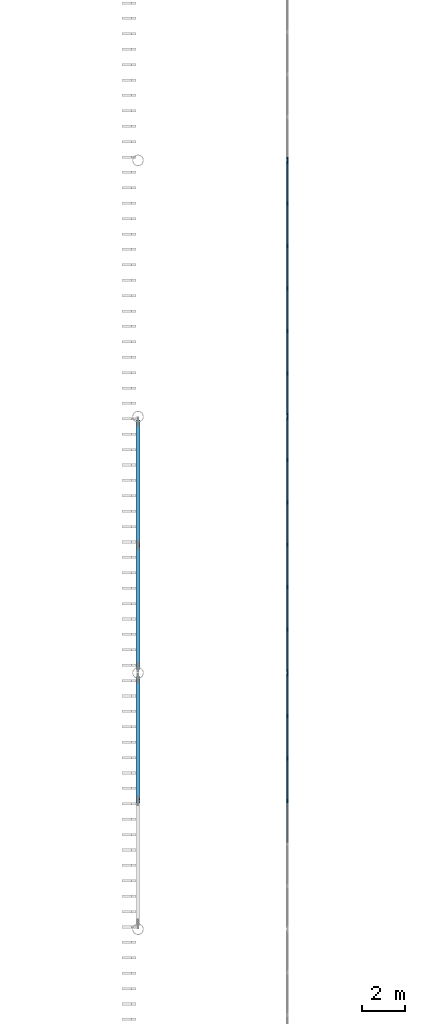
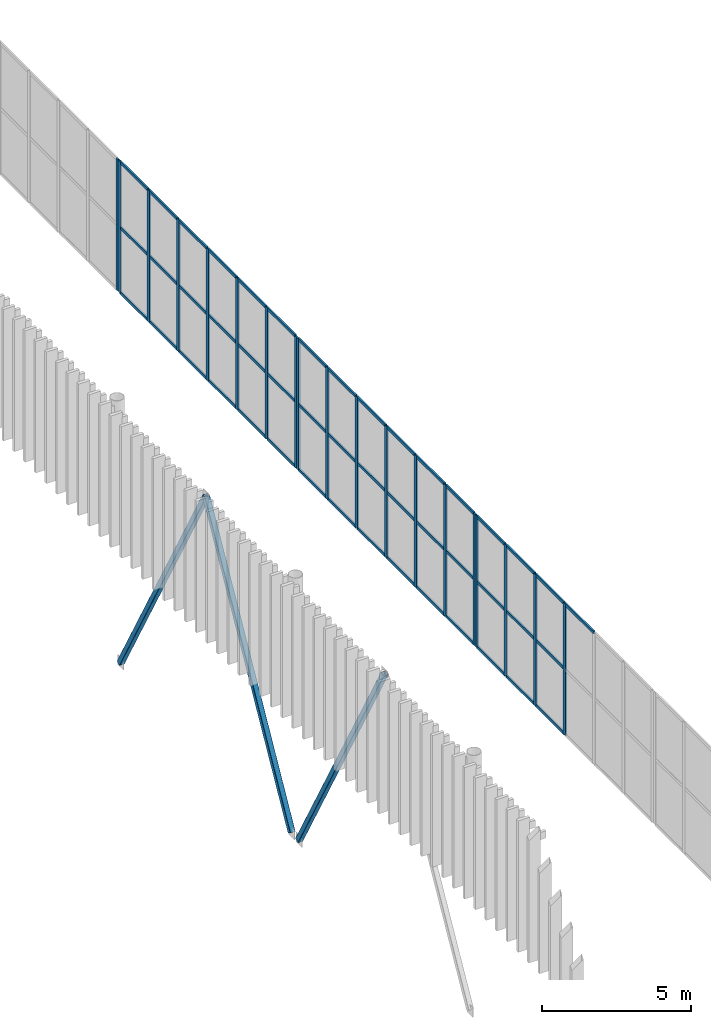
# One storey, part 44 of 170: 68 members, 4 elements without a shape of their own.
"""IFC4 building model written with IfcOpenShell, lengths in metres."""

from ifc_helpers import new_model, si_unit, direction, frame, origin, origin_2d, place, context, subcontext, project, spatial, rectangle, hollow_rectangle, extrude, material, layer, layer_set, material_profile, profile_set, type_object, element, aggregate, save


model = new_model("IFC4")

# Units and contexts
model_context = context("Model", 3, precision=1e-05, world=origin(), true_north=direction((0.0, 1.0)))
body_context = subcontext(model_context, "Body", "Model", "MODEL_VIEW")
ifc_project = project(units=[si_unit("LENGTHUNIT", "METRE"), si_unit("AREAUNIT", "SQUARE_METRE"), si_unit("VOLUMEUNIT", "CUBIC_METRE"), si_unit("PLANEANGLEUNIT", "RADIAN"), si_unit("MASSUNIT", "GRAM", prefix="KILO")], contexts=[model_context])

# Site, building, storey
site_placement = place(None, origin())
site = spatial("IfcSite", under=ifc_project, at=site_placement, CompositionType="ELEMENT")
building_placement = place(site_placement, origin())
building = spatial("IfcBuilding", under=site, at=building_placement, Name="Ravi Spectrum Wholesale Market", CompositionType="ELEMENT")
storey_placement = place(building_placement, frame((0.0, 0.0, 5.39990234375)))
storey = spatial("IfcBuildingStorey", under=building, at=storey_placement, Name="L01", CompositionType="ELEMENT", Elevation=5.39990234375)

# Curtain wall, members
ifc_material_1 = material(Name="Aluminium 6063-T6", Category="aluminium")
ifc_layer = layer(ifc_material_1, 0.14990234375)
ifc_layer_set = layer_set([ifc_layer], Name="Aluminium 6063-T6")
curtain_wall_type = type_object("IfcCurtainWallType", Name="Curtain wall 150", PredefinedType="NOTDEFINED", material=ifc_layer_set)
curtain_wall_1_placement = place(storey_placement, origin())
curtain_wall_1 = element("IfcCurtainWall", 1, at=curtain_wall_1_placement, inside=storey, type_object=curtain_wall_type, Name="H1-CW-L01-007", PredefinedType="NOTDEFINED")
ifc_material_2 = material(Name="Aluminium 6063-T6", Category="aluminium")
ifc_material_profile_1 = material_profile(ifc_material_2, rectangle(XDim=0.06005859375, YDim=0.159912109375, at=origin_2d()))
ifc_profile_set_1 = profile_set([ifc_material_profile_1], Name="Aluminium 6063-T6")
member_type_1 = type_object("IfcMemberType", Name="Mullion 60 x 160", PredefinedType="MULLION", material=ifc_profile_set_1)
member_1_placement = place(storey_placement, frame((37.0, 108.0, 0.0), z_axis=(0.0, 0.0, 1.0), x_axis=(-1.0, 0.0, 0.0)))
member_1 = element("IfcMember", 2, at=member_1_placement, type_object=member_type_1, Name="H1-CW-L01-007 mullion 4", PredefinedType="MULLION", context=body_context, shape_type="SweptSolid", body=[
    extrude(rectangle(XDim=0.06005859375, YDim=0.159912109375, at=origin_2d()), origin(), (0.0, 0.0, 1.0), 5.400146484375),
])
member_2_placement = place(storey_placement, frame((37.0, 109.986572265625, 0.0), z_axis=(0.0, 0.0, 1.0), x_axis=(-1.0, 0.0, 0.0)))
member_2 = element("IfcMember", 3, at=member_2_placement, type_object=member_type_1, Name="H1-CW-L01-007 mullion 5", PredefinedType="MULLION", context=body_context, shape_type="SweptSolid", body=[
    extrude(rectangle(XDim=0.06005859375, YDim=0.159912109375, at=origin_2d()), origin(), (0.0, 0.0, 1.0), 5.400146484375),
])
member_3_placement = place(storey_placement, frame((37.0, 111.973388671875, 0.0), z_axis=(0.0, 0.0, 1.0), x_axis=(-1.0, 0.0, 0.0)))
member_3 = element("IfcMember", 4, at=member_3_placement, type_object=member_type_1, Name="H1-CW-L01-007 mullion 6", PredefinedType="MULLION", context=body_context, shape_type="SweptSolid", body=[
    extrude(rectangle(XDim=0.06005859375, YDim=0.159912109375, at=origin_2d()), origin(), (0.0, 0.0, 1.0), 5.400146484375),
])
member_4_placement = place(storey_placement, frame((37.0, 113.929931640625, 0.0), z_axis=(0.0, 0.0, 1.0), x_axis=(-1.0, 0.0, 0.0)))
member_4 = element("IfcMember", 5, at=member_4_placement, type_object=member_type_1, Name="H1-CW-L01-007 mullion 7", PredefinedType="MULLION", context=body_context, shape_type="SweptSolid", body=[
    extrude(rectangle(XDim=0.06005859375, YDim=0.159912109375, at=origin_2d()), origin(), (0.0, 0.0, 1.0), 5.400146484375),
])

curtain_wall_2_placement = place(storey_placement, origin())
curtain_wall_2 = element("IfcCurtainWall", 6, at=curtain_wall_2_placement, inside=storey, type_object=curtain_wall_type, Name="H1-CW-L01-008", PredefinedType="NOTDEFINED")
member_5_placement = place(storey_placement, frame((37.0, 114.070068359375, 0.0), z_axis=(0.0, 0.0, 1.0), x_axis=(-1.0, 0.0, 0.0)))
member_5 = element("IfcMember", 7, at=member_5_placement, type_object=member_type_1, Name="H1-CW-L01-008 mullion 1", PredefinedType="MULLION", context=body_context, shape_type="SweptSolid", body=[
    extrude(rectangle(XDim=0.06005859375, YDim=0.159912109375, at=origin_2d()), origin(), (0.0, 0.0, 1.0), 5.400146484375),
])
member_6_placement = place(storey_placement, frame((37.0, 116.026611328125, 0.0), z_axis=(0.0, 0.0, 1.0), x_axis=(-1.0, 0.0, 0.0)))
member_6 = element("IfcMember", 8, at=member_6_placement, type_object=member_type_1, Name="H1-CW-L01-008 mullion 2", PredefinedType="MULLION", context=body_context, shape_type="SweptSolid", body=[
    extrude(rectangle(XDim=0.06005859375, YDim=0.159912109375, at=origin_2d()), origin(), (0.0, 0.0, 1.0), 5.400146484375),
])
member_7_placement = place(storey_placement, frame((37.0, 118.013427734375, 0.0), z_axis=(0.0, 0.0, 1.0), x_axis=(-1.0, 0.0, 0.0)))
member_7 = element("IfcMember", 9, at=member_7_placement, type_object=member_type_1, Name="H1-CW-L01-008 mullion 3", PredefinedType="MULLION", context=body_context, shape_type="SweptSolid", body=[
    extrude(rectangle(XDim=0.06005859375, YDim=0.159912109375, at=origin_2d()), origin(), (0.0, 0.0, 1.0), 5.400146484375),
])
member_8_placement = place(storey_placement, frame((37.0, 120.0, 0.0), z_axis=(0.0, 0.0, 1.0), x_axis=(-1.0, 0.0, 0.0)))
member_8 = element("IfcMember", 10, at=member_8_placement, type_object=member_type_1, Name="H1-CW-L01-008 mullion 4", PredefinedType="MULLION", context=body_context, shape_type="SweptSolid", body=[
    extrude(rectangle(XDim=0.06005859375, YDim=0.159912109375, at=origin_2d()), origin(), (0.0, 0.0, 1.0), 5.400146484375),
])
member_9_placement = place(storey_placement, frame((37.0, 121.986572265625, 0.0), z_axis=(0.0, 0.0, 1.0), x_axis=(-1.0, 0.0, 0.0)))
member_9 = element("IfcMember", 11, at=member_9_placement, type_object=member_type_1, Name="H1-CW-L01-008 mullion 5", PredefinedType="MULLION", context=body_context, shape_type="SweptSolid", body=[
    extrude(rectangle(XDim=0.06005859375, YDim=0.159912109375, at=origin_2d()), origin(), (0.0, 0.0, 1.0), 5.400146484375),
])
member_10_placement = place(storey_placement, frame((37.0, 123.973388671875, 0.0), z_axis=(0.0, 0.0, 1.0), x_axis=(-1.0, 0.0, 0.0)))
member_10 = element("IfcMember", 12, at=member_10_placement, type_object=member_type_1, Name="H1-CW-L01-008 mullion 6", PredefinedType="MULLION", context=body_context, shape_type="SweptSolid", body=[
    extrude(rectangle(XDim=0.06005859375, YDim=0.159912109375, at=origin_2d()), origin(), (0.0, 0.0, 1.0), 5.400146484375),
])
member_11_placement = place(storey_placement, frame((37.0, 125.929931640625, 0.0), z_axis=(0.0, 0.0, 1.0), x_axis=(-1.0, 0.0, 0.0)))
member_11 = element("IfcMember", 13, at=member_11_placement, type_object=member_type_1, Name="H1-CW-L01-008 mullion 7", PredefinedType="MULLION", context=body_context, shape_type="SweptSolid", body=[
    extrude(rectangle(XDim=0.06005859375, YDim=0.159912109375, at=origin_2d()), origin(), (0.0, 0.0, 1.0), 5.400146484375),
])

curtain_wall_3_placement = place(storey_placement, origin())
curtain_wall_3 = element("IfcCurtainWall", 14, at=curtain_wall_3_placement, inside=storey, type_object=curtain_wall_type, Name="H1-CW-L01-009", PredefinedType="NOTDEFINED")
member_12_placement = place(storey_placement, frame((37.0, 126.070068359375, 0.0), z_axis=(0.0, 0.0, 1.0), x_axis=(-1.0, 0.0, 0.0)))
member_12 = element("IfcMember", 15, at=member_12_placement, type_object=member_type_1, Name="H1-CW-L01-009 mullion 1", PredefinedType="MULLION", context=body_context, shape_type="SweptSolid", body=[
    extrude(rectangle(XDim=0.06005859375, YDim=0.159912109375, at=origin_2d()), origin(), (0.0, 0.0, 1.0), 5.400146484375),
])
member_13_placement = place(storey_placement, frame((37.0, 128.026611328125, 0.0), z_axis=(0.0, 0.0, 1.0), x_axis=(-1.0, 0.0, 0.0)))
member_13 = element("IfcMember", 16, at=member_13_placement, type_object=member_type_1, Name="H1-CW-L01-009 mullion 2", PredefinedType="MULLION", context=body_context, shape_type="SweptSolid", body=[
    extrude(rectangle(XDim=0.06005859375, YDim=0.159912109375, at=origin_2d()), origin(), (0.0, 0.0, 1.0), 5.400146484375),
])
member_14_placement = place(storey_placement, frame((37.0, 130.013427734375, 0.0), z_axis=(0.0, 0.0, 1.0), x_axis=(-1.0, 0.0, 0.0)))
member_14 = element("IfcMember", 17, at=member_14_placement, type_object=member_type_1, Name="H1-CW-L01-009 mullion 3", PredefinedType="MULLION", context=body_context, shape_type="SweptSolid", body=[
    extrude(rectangle(XDim=0.06005859375, YDim=0.159912109375, at=origin_2d()), origin(), (0.0, 0.0, 1.0), 5.400146484375),
])
member_15_placement = place(storey_placement, frame((37.0, 132.0, 0.0), z_axis=(0.0, 0.0, 1.0), x_axis=(-1.0, 0.0, 0.0)))
member_15 = element("IfcMember", 18, at=member_15_placement, type_object=member_type_1, Name="H1-CW-L01-009 mullion 4", PredefinedType="MULLION", context=body_context, shape_type="SweptSolid", body=[
    extrude(rectangle(XDim=0.06005859375, YDim=0.159912109375, at=origin_2d()), origin(), (0.0, 0.0, 1.0), 5.400146484375),
])
member_16_placement = place(storey_placement, frame((37.0, 133.986572265625, 0.0), z_axis=(0.0, 0.0, 1.0), x_axis=(-1.0, 0.0, 0.0)))
member_16 = element("IfcMember", 19, at=member_16_placement, type_object=member_type_1, Name="H1-CW-L01-009 mullion 5", PredefinedType="MULLION", context=body_context, shape_type="SweptSolid", body=[
    extrude(rectangle(XDim=0.06005859375, YDim=0.159912109375, at=origin_2d()), origin(), (0.0, 0.0, 1.0), 5.400146484375),
])
member_17_placement = place(storey_placement, frame((37.0, 135.973388671875, 0.0), z_axis=(0.0, 0.0, 1.0), x_axis=(-1.0, 0.0, 0.0)))
member_17 = element("IfcMember", 20, at=member_17_placement, type_object=member_type_1, Name="H1-CW-L01-009 mullion 6", PredefinedType="MULLION", context=body_context, shape_type="SweptSolid", body=[
    extrude(rectangle(XDim=0.06005859375, YDim=0.159912109375, at=origin_2d()), origin(), (0.0, 0.0, 1.0), 5.400146484375),
])
member_18_placement = place(storey_placement, frame((37.0, 137.929931640625, 0.0), z_axis=(0.0, 0.0, 1.0), x_axis=(-1.0, 0.0, 0.0)))
member_18 = element("IfcMember", 21, at=member_18_placement, type_object=member_type_1, Name="H1-CW-L01-009 mullion 7", PredefinedType="MULLION", context=body_context, shape_type="SweptSolid", body=[
    extrude(rectangle(XDim=0.06005859375, YDim=0.159912109375, at=origin_2d()), origin(), (0.0, 0.0, 1.0), 5.400146484375),
])

# Curtain wall, member
curtain_wall_4_placement = place(storey_placement, origin())
curtain_wall_4 = element("IfcCurtainWall", 22, at=curtain_wall_4_placement, inside=storey, type_object=curtain_wall_type, Name="H1-CW-L01-010", PredefinedType="NOTDEFINED")
member_19_placement = place(storey_placement, frame((37.0, 138.070068359375, 0.0), z_axis=(0.0, 0.0, 1.0), x_axis=(-1.0, 0.0, 0.0)))
member_19 = element("IfcMember", 23, at=member_19_placement, type_object=member_type_1, Name="H1-CW-L01-010 mullion 1", PredefinedType="MULLION", context=body_context, shape_type="SweptSolid", body=[
    extrude(rectangle(XDim=0.06005859375, YDim=0.159912109375, at=origin_2d()), origin(), (0.0, 0.0, 1.0), 5.400146484375),
])
aggregate(curtain_wall_4, [member_19])

# Members
ifc_material_3 = material(Name="Steel S355", Category="steel")
ifc_material_profile_2 = material_profile(ifc_material_3, hollow_rectangle(XDim=0.199951171875, YDim=0.199951171875, WallThickness=0.008056640625, InnerFilletRadius=0.008056640625, OuterFilletRadius=0.01611328125, at=origin_2d()))
ifc_profile_set_2 = profile_set([ifc_material_profile_2], Name="Steel S355")
member_type_2 = type_object("IfcMemberType", Name="SHS 200x200x8 brace", PredefinedType="BRACE", material=ifc_profile_set_2)
for number, where, z_axis, x_axis, name in (
    (24, (30.0, 113.74609375, -5.350830078125), (0.0, -0.487151805571, 0.873317306784), (1.0, 0.0, 0.0), "H1-MB-L01-006"),
    (25, (30.0, 114.25390625, -5.350830078125), (0.0, 0.487151805571, 0.873317306784), (-1.0, 0.0, 0.0), "H1-MB-L01-007"),
    (26, (30.0, 125.74609375, -5.350830078125), (0.0, -0.487151805571, 0.873317306784), (1.0, 0.0, 0.0), "H1-MB-L01-008"),
):
    element("IfcMember", number, at=place(storey_placement, frame(where, z_axis=z_axis, x_axis=x_axis)), inside=storey, type_object=member_type_2, Name=name, PredefinedType="BRACE", context=body_context, shape_type="SweptSolid", body=[
        extrude(hollow_rectangle(XDim=0.199951171875, YDim=0.199951171875, WallThickness=0.008056640625, InnerFilletRadius=0.008056640625, OuterFilletRadius=0.01611328125, at=origin_2d()), origin(), (0.0, 0.0, 1.0), 11.795166015625),
    ])

# Member
ifc_material_4 = material(Name="Aluminium 6063-T6", Category="aluminium")
ifc_material_profile_3 = material_profile(ifc_material_4, rectangle(XDim=0.06005859375, YDim=0.1201171875, at=origin_2d()))
ifc_profile_set_3 = profile_set([ifc_material_profile_3], Name="Aluminium 6063-T6")
member_type_3 = type_object("IfcMemberType", Name="Transom 60 x 120", PredefinedType="USERDEFINED", material=ifc_profile_set_3)
member_20_placement = place(storey_placement, frame((37.0, 106.043212890625, 5.3701171875), z_axis=(0.0, 1.0, 0.0), x_axis=(-1.0, 0.0, 0.0)))
member_20 = element("IfcMember", 27, at=member_20_placement, type_object=member_type_3, Name="H1-CW-L01-007 transom 3.3", ObjectType="TRANSOM", PredefinedType="USERDEFINED", context=body_context, shape_type="SweptSolid", body=[
    extrude(rectangle(XDim=0.06005859375, YDim=0.1201171875, at=origin_2d()), origin(), (0.0, 0.0, 1.0), 1.9267578125),
])

member_21_placement = place(storey_placement, frame((37.0, 108.030029296875, 0.030029296875), z_axis=(0.0, 1.0, 0.0), x_axis=(-1.0, 0.0, 0.0)))
member_21 = element("IfcMember", 28, at=member_21_placement, type_object=member_type_3, Name="H1-CW-L01-007 transom 4.1", ObjectType="TRANSOM", PredefinedType="USERDEFINED", context=body_context, shape_type="SweptSolid", body=[
    extrude(rectangle(XDim=0.06005859375, YDim=0.1201171875, at=origin_2d()), origin(), (0.0, 0.0, 1.0), 1.9267578125),
])

member_22_placement = place(storey_placement, frame((37.0, 108.030029296875, 2.7001953125), z_axis=(0.0, 1.0, 0.0), x_axis=(-1.0, 0.0, 0.0)))
member_22 = element("IfcMember", 29, at=member_22_placement, type_object=member_type_3, Name="H1-CW-L01-007 transom 4.2", ObjectType="TRANSOM", PredefinedType="USERDEFINED", context=body_context, shape_type="SweptSolid", body=[
    extrude(rectangle(XDim=0.06005859375, YDim=0.1201171875, at=origin_2d()), origin(), (0.0, 0.0, 1.0), 1.9267578125),
])

member_23_placement = place(storey_placement, frame((37.0, 108.030029296875, 5.3701171875), z_axis=(0.0, 1.0, 0.0), x_axis=(-1.0, 0.0, 0.0)))
member_23 = element("IfcMember", 30, at=member_23_placement, type_object=member_type_3, Name="H1-CW-L01-007 transom 4.3", ObjectType="TRANSOM", PredefinedType="USERDEFINED", context=body_context, shape_type="SweptSolid", body=[
    extrude(rectangle(XDim=0.06005859375, YDim=0.1201171875, at=origin_2d()), origin(), (0.0, 0.0, 1.0), 1.9267578125),
])

member_24_placement = place(storey_placement, frame((37.0, 110.0166015625, 0.030029296875), z_axis=(0.0, 1.0, 0.0), x_axis=(-1.0, 0.0, 0.0)))
member_24 = element("IfcMember", 31, at=member_24_placement, type_object=member_type_3, Name="H1-CW-L01-007 transom 5.1", ObjectType="TRANSOM", PredefinedType="USERDEFINED", context=body_context, shape_type="SweptSolid", body=[
    extrude(rectangle(XDim=0.06005859375, YDim=0.1201171875, at=origin_2d()), origin(), (0.0, 0.0, 1.0), 1.9267578125),
])

member_25_placement = place(storey_placement, frame((37.0, 110.0166015625, 2.7001953125), z_axis=(0.0, 1.0, 0.0), x_axis=(-1.0, 0.0, 0.0)))
member_25 = element("IfcMember", 32, at=member_25_placement, type_object=member_type_3, Name="H1-CW-L01-007 transom 5.2", ObjectType="TRANSOM", PredefinedType="USERDEFINED", context=body_context, shape_type="SweptSolid", body=[
    extrude(rectangle(XDim=0.06005859375, YDim=0.1201171875, at=origin_2d()), origin(), (0.0, 0.0, 1.0), 1.9267578125),
])

member_26_placement = place(storey_placement, frame((37.0, 110.0166015625, 5.3701171875), z_axis=(0.0, 1.0, 0.0), x_axis=(-1.0, 0.0, 0.0)))
member_26 = element("IfcMember", 33, at=member_26_placement, type_object=member_type_3, Name="H1-CW-L01-007 transom 5.3", ObjectType="TRANSOM", PredefinedType="USERDEFINED", context=body_context, shape_type="SweptSolid", body=[
    extrude(rectangle(XDim=0.06005859375, YDim=0.1201171875, at=origin_2d()), origin(), (0.0, 0.0, 1.0), 1.9267578125),
])

member_27_placement = place(storey_placement, frame((37.0, 112.00341796875, 0.030029296875), z_axis=(0.0, 1.0, 0.0), x_axis=(-1.0, 0.0, 0.0)))
member_27 = element("IfcMember", 34, at=member_27_placement, type_object=member_type_3, Name="H1-CW-L01-007 transom 6.1", ObjectType="TRANSOM", PredefinedType="USERDEFINED", context=body_context, shape_type="SweptSolid", body=[
    extrude(rectangle(XDim=0.06005859375, YDim=0.1201171875, at=origin_2d()), origin(), (0.0, 0.0, 1.0), 1.896484375),
])

member_28_placement = place(storey_placement, frame((37.0, 112.00341796875, 2.7001953125), z_axis=(0.0, 1.0, 0.0), x_axis=(-1.0, 0.0, 0.0)))
member_28 = element("IfcMember", 35, at=member_28_placement, type_object=member_type_3, Name="H1-CW-L01-007 transom 6.2", ObjectType="TRANSOM", PredefinedType="USERDEFINED", context=body_context, shape_type="SweptSolid", body=[
    extrude(rectangle(XDim=0.06005859375, YDim=0.1201171875, at=origin_2d()), origin(), (0.0, 0.0, 1.0), 1.896484375),
])

member_29_placement = place(storey_placement, frame((37.0, 112.00341796875, 5.3701171875), z_axis=(0.0, 1.0, 0.0), x_axis=(-1.0, 0.0, 0.0)))
member_29 = element("IfcMember", 36, at=member_29_placement, type_object=member_type_3, Name="H1-CW-L01-007 transom 6.3", ObjectType="TRANSOM", PredefinedType="USERDEFINED", context=body_context, shape_type="SweptSolid", body=[
    extrude(rectangle(XDim=0.06005859375, YDim=0.1201171875, at=origin_2d()), origin(), (0.0, 0.0, 1.0), 1.896484375),
])

aggregate(curtain_wall_1, [member_1, member_2, member_3, member_4, member_20, member_21, member_22, member_23, member_24, member_25, member_26, member_27, member_28, member_29])

member_30_placement = place(storey_placement, frame((37.0, 114.10009765625, 0.030029296875), z_axis=(0.0, 1.0, 0.0), x_axis=(-1.0, 0.0, 0.0)))
member_30 = element("IfcMember", 37, at=member_30_placement, type_object=member_type_3, Name="H1-CW-L01-008 transom 1.1", ObjectType="TRANSOM", PredefinedType="USERDEFINED", context=body_context, shape_type="SweptSolid", body=[
    extrude(rectangle(XDim=0.06005859375, YDim=0.1201171875, at=origin_2d()), origin(), (0.0, 0.0, 1.0), 1.896484375),
])

member_31_placement = place(storey_placement, frame((37.0, 114.10009765625, 2.7001953125), z_axis=(0.0, 1.0, 0.0), x_axis=(-1.0, 0.0, 0.0)))
member_31 = element("IfcMember", 38, at=member_31_placement, type_object=member_type_3, Name="H1-CW-L01-008 transom 1.2", ObjectType="TRANSOM", PredefinedType="USERDEFINED", context=body_context, shape_type="SweptSolid", body=[
    extrude(rectangle(XDim=0.06005859375, YDim=0.1201171875, at=origin_2d()), origin(), (0.0, 0.0, 1.0), 1.896484375),
])

member_32_placement = place(storey_placement, frame((37.0, 114.10009765625, 5.3701171875), z_axis=(0.0, 1.0, 0.0), x_axis=(-1.0, 0.0, 0.0)))
member_32 = element("IfcMember", 39, at=member_32_placement, type_object=member_type_3, Name="H1-CW-L01-008 transom 1.3", ObjectType="TRANSOM", PredefinedType="USERDEFINED", context=body_context, shape_type="SweptSolid", body=[
    extrude(rectangle(XDim=0.06005859375, YDim=0.1201171875, at=origin_2d()), origin(), (0.0, 0.0, 1.0), 1.896484375),
])

member_33_placement = place(storey_placement, frame((37.0, 116.056640625, 0.030029296875), z_axis=(0.0, 1.0, 0.0), x_axis=(-1.0, 0.0, 0.0)))
member_33 = element("IfcMember", 40, at=member_33_placement, type_object=member_type_3, Name="H1-CW-L01-008 transom 2.1", ObjectType="TRANSOM", PredefinedType="USERDEFINED", context=body_context, shape_type="SweptSolid", body=[
    extrude(rectangle(XDim=0.06005859375, YDim=0.1201171875, at=origin_2d()), origin(), (0.0, 0.0, 1.0), 1.9267578125),
])

member_34_placement = place(storey_placement, frame((37.0, 116.056640625, 2.7001953125), z_axis=(0.0, 1.0, 0.0), x_axis=(-1.0, 0.0, 0.0)))
member_34 = element("IfcMember", 41, at=member_34_placement, type_object=member_type_3, Name="H1-CW-L01-008 transom 2.2", ObjectType="TRANSOM", PredefinedType="USERDEFINED", context=body_context, shape_type="SweptSolid", body=[
    extrude(rectangle(XDim=0.06005859375, YDim=0.1201171875, at=origin_2d()), origin(), (0.0, 0.0, 1.0), 1.9267578125),
])

member_35_placement = place(storey_placement, frame((37.0, 116.056640625, 5.3701171875), z_axis=(0.0, 1.0, 0.0), x_axis=(-1.0, 0.0, 0.0)))
member_35 = element("IfcMember", 42, at=member_35_placement, type_object=member_type_3, Name="H1-CW-L01-008 transom 2.3", ObjectType="TRANSOM", PredefinedType="USERDEFINED", context=body_context, shape_type="SweptSolid", body=[
    extrude(rectangle(XDim=0.06005859375, YDim=0.1201171875, at=origin_2d()), origin(), (0.0, 0.0, 1.0), 1.9267578125),
])

member_36_placement = place(storey_placement, frame((37.0, 118.043212890625, 0.030029296875), z_axis=(0.0, 1.0, 0.0), x_axis=(-1.0, 0.0, 0.0)))
member_36 = element("IfcMember", 43, at=member_36_placement, type_object=member_type_3, Name="H1-CW-L01-008 transom 3.1", ObjectType="TRANSOM", PredefinedType="USERDEFINED", context=body_context, shape_type="SweptSolid", body=[
    extrude(rectangle(XDim=0.06005859375, YDim=0.1201171875, at=origin_2d()), origin(), (0.0, 0.0, 1.0), 1.9267578125),
])

member_37_placement = place(storey_placement, frame((37.0, 118.043212890625, 2.7001953125), z_axis=(0.0, 1.0, 0.0), x_axis=(-1.0, 0.0, 0.0)))
member_37 = element("IfcMember", 44, at=member_37_placement, type_object=member_type_3, Name="H1-CW-L01-008 transom 3.2", ObjectType="TRANSOM", PredefinedType="USERDEFINED", context=body_context, shape_type="SweptSolid", body=[
    extrude(rectangle(XDim=0.06005859375, YDim=0.1201171875, at=origin_2d()), origin(), (0.0, 0.0, 1.0), 1.9267578125),
])

member_38_placement = place(storey_placement, frame((37.0, 118.043212890625, 5.3701171875), z_axis=(0.0, 1.0, 0.0), x_axis=(-1.0, 0.0, 0.0)))
member_38 = element("IfcMember", 45, at=member_38_placement, type_object=member_type_3, Name="H1-CW-L01-008 transom 3.3", ObjectType="TRANSOM", PredefinedType="USERDEFINED", context=body_context, shape_type="SweptSolid", body=[
    extrude(rectangle(XDim=0.06005859375, YDim=0.1201171875, at=origin_2d()), origin(), (0.0, 0.0, 1.0), 1.9267578125),
])

member_39_placement = place(storey_placement, frame((37.0, 120.030029296875, 0.030029296875), z_axis=(0.0, 1.0, 0.0), x_axis=(-1.0, 0.0, 0.0)))
member_39 = element("IfcMember", 46, at=member_39_placement, type_object=member_type_3, Name="H1-CW-L01-008 transom 4.1", ObjectType="TRANSOM", PredefinedType="USERDEFINED", context=body_context, shape_type="SweptSolid", body=[
    extrude(rectangle(XDim=0.06005859375, YDim=0.1201171875, at=origin_2d()), origin(), (0.0, 0.0, 1.0), 1.9267578125),
])

member_40_placement = place(storey_placement, frame((37.0, 120.030029296875, 2.7001953125), z_axis=(0.0, 1.0, 0.0), x_axis=(-1.0, 0.0, 0.0)))
member_40 = element("IfcMember", 47, at=member_40_placement, type_object=member_type_3, Name="H1-CW-L01-008 transom 4.2", ObjectType="TRANSOM", PredefinedType="USERDEFINED", context=body_context, shape_type="SweptSolid", body=[
    extrude(rectangle(XDim=0.06005859375, YDim=0.1201171875, at=origin_2d()), origin(), (0.0, 0.0, 1.0), 1.9267578125),
])

member_41_placement = place(storey_placement, frame((37.0, 120.030029296875, 5.3701171875), z_axis=(0.0, 1.0, 0.0), x_axis=(-1.0, 0.0, 0.0)))
member_41 = element("IfcMember", 48, at=member_41_placement, type_object=member_type_3, Name="H1-CW-L01-008 transom 4.3", ObjectType="TRANSOM", PredefinedType="USERDEFINED", context=body_context, shape_type="SweptSolid", body=[
    extrude(rectangle(XDim=0.06005859375, YDim=0.1201171875, at=origin_2d()), origin(), (0.0, 0.0, 1.0), 1.9267578125),
])

member_42_placement = place(storey_placement, frame((37.0, 122.0166015625, 0.030029296875), z_axis=(0.0, 1.0, 0.0), x_axis=(-1.0, 0.0, 0.0)))
member_42 = element("IfcMember", 49, at=member_42_placement, type_object=member_type_3, Name="H1-CW-L01-008 transom 5.1", ObjectType="TRANSOM", PredefinedType="USERDEFINED", context=body_context, shape_type="SweptSolid", body=[
    extrude(rectangle(XDim=0.06005859375, YDim=0.1201171875, at=origin_2d()), origin(), (0.0, 0.0, 1.0), 1.9267578125),
])

member_43_placement = place(storey_placement, frame((37.0, 122.0166015625, 2.7001953125), z_axis=(0.0, 1.0, 0.0), x_axis=(-1.0, 0.0, 0.0)))
member_43 = element("IfcMember", 50, at=member_43_placement, type_object=member_type_3, Name="H1-CW-L01-008 transom 5.2", ObjectType="TRANSOM", PredefinedType="USERDEFINED", context=body_context, shape_type="SweptSolid", body=[
    extrude(rectangle(XDim=0.06005859375, YDim=0.1201171875, at=origin_2d()), origin(), (0.0, 0.0, 1.0), 1.9267578125),
])

member_44_placement = place(storey_placement, frame((37.0, 122.0166015625, 5.3701171875), z_axis=(0.0, 1.0, 0.0), x_axis=(-1.0, 0.0, 0.0)))
member_44 = element("IfcMember", 51, at=member_44_placement, type_object=member_type_3, Name="H1-CW-L01-008 transom 5.3", ObjectType="TRANSOM", PredefinedType="USERDEFINED", context=body_context, shape_type="SweptSolid", body=[
    extrude(rectangle(XDim=0.06005859375, YDim=0.1201171875, at=origin_2d()), origin(), (0.0, 0.0, 1.0), 1.9267578125),
])

member_45_placement = place(storey_placement, frame((37.0, 124.00341796875, 0.030029296875), z_axis=(0.0, 1.0, 0.0), x_axis=(-1.0, 0.0, 0.0)))
member_45 = element("IfcMember", 52, at=member_45_placement, type_object=member_type_3, Name="H1-CW-L01-008 transom 6.1", ObjectType="TRANSOM", PredefinedType="USERDEFINED", context=body_context, shape_type="SweptSolid", body=[
    extrude(rectangle(XDim=0.06005859375, YDim=0.1201171875, at=origin_2d()), origin(), (0.0, 0.0, 1.0), 1.896484375),
])

member_46_placement = place(storey_placement, frame((37.0, 124.00341796875, 2.7001953125), z_axis=(0.0, 1.0, 0.0), x_axis=(-1.0, 0.0, 0.0)))
member_46 = element("IfcMember", 53, at=member_46_placement, type_object=member_type_3, Name="H1-CW-L01-008 transom 6.2", ObjectType="TRANSOM", PredefinedType="USERDEFINED", context=body_context, shape_type="SweptSolid", body=[
    extrude(rectangle(XDim=0.06005859375, YDim=0.1201171875, at=origin_2d()), origin(), (0.0, 0.0, 1.0), 1.896484375),
])

member_47_placement = place(storey_placement, frame((37.0, 124.00341796875, 5.3701171875), z_axis=(0.0, 1.0, 0.0), x_axis=(-1.0, 0.0, 0.0)))
member_47 = element("IfcMember", 54, at=member_47_placement, type_object=member_type_3, Name="H1-CW-L01-008 transom 6.3", ObjectType="TRANSOM", PredefinedType="USERDEFINED", context=body_context, shape_type="SweptSolid", body=[
    extrude(rectangle(XDim=0.06005859375, YDim=0.1201171875, at=origin_2d()), origin(), (0.0, 0.0, 1.0), 1.896484375),
])

aggregate(curtain_wall_2, [member_5, member_6, member_7, member_8, member_9, member_10, member_11, member_30, member_31, member_32, member_33, member_34, member_35, member_36, member_37, member_38, member_39, member_40, member_41, member_42, member_43, member_44, member_45, member_46, member_47])

member_48_placement = place(storey_placement, frame((37.0, 126.10009765625, 0.030029296875), z_axis=(0.0, 1.0, 0.0), x_axis=(-1.0, 0.0, 0.0)))
member_48 = element("IfcMember", 55, at=member_48_placement, type_object=member_type_3, Name="H1-CW-L01-009 transom 1.1", ObjectType="TRANSOM", PredefinedType="USERDEFINED", context=body_context, shape_type="SweptSolid", body=[
    extrude(rectangle(XDim=0.06005859375, YDim=0.1201171875, at=origin_2d()), origin(), (0.0, 0.0, 1.0), 1.896484375),
])

member_49_placement = place(storey_placement, frame((37.0, 126.10009765625, 2.7001953125), z_axis=(0.0, 1.0, 0.0), x_axis=(-1.0, 0.0, 0.0)))
member_49 = element("IfcMember", 56, at=member_49_placement, type_object=member_type_3, Name="H1-CW-L01-009 transom 1.2", ObjectType="TRANSOM", PredefinedType="USERDEFINED", context=body_context, shape_type="SweptSolid", body=[
    extrude(rectangle(XDim=0.06005859375, YDim=0.1201171875, at=origin_2d()), origin(), (0.0, 0.0, 1.0), 1.896484375),
])

member_50_placement = place(storey_placement, frame((37.0, 126.10009765625, 5.3701171875), z_axis=(0.0, 1.0, 0.0), x_axis=(-1.0, 0.0, 0.0)))
member_50 = element("IfcMember", 57, at=member_50_placement, type_object=member_type_3, Name="H1-CW-L01-009 transom 1.3", ObjectType="TRANSOM", PredefinedType="USERDEFINED", context=body_context, shape_type="SweptSolid", body=[
    extrude(rectangle(XDim=0.06005859375, YDim=0.1201171875, at=origin_2d()), origin(), (0.0, 0.0, 1.0), 1.896484375),
])

member_51_placement = place(storey_placement, frame((37.0, 128.056640625, 0.030029296875), z_axis=(0.0, 1.0, 0.0), x_axis=(-1.0, 0.0, 0.0)))
member_51 = element("IfcMember", 58, at=member_51_placement, type_object=member_type_3, Name="H1-CW-L01-009 transom 2.1", ObjectType="TRANSOM", PredefinedType="USERDEFINED", context=body_context, shape_type="SweptSolid", body=[
    extrude(rectangle(XDim=0.06005859375, YDim=0.1201171875, at=origin_2d()), origin(), (0.0, 0.0, 1.0), 1.9267578125),
])

member_52_placement = place(storey_placement, frame((37.0, 128.056640625, 2.7001953125), z_axis=(0.0, 1.0, 0.0), x_axis=(-1.0, 0.0, 0.0)))
member_52 = element("IfcMember", 59, at=member_52_placement, type_object=member_type_3, Name="H1-CW-L01-009 transom 2.2", ObjectType="TRANSOM", PredefinedType="USERDEFINED", context=body_context, shape_type="SweptSolid", body=[
    extrude(rectangle(XDim=0.06005859375, YDim=0.1201171875, at=origin_2d()), origin(), (0.0, 0.0, 1.0), 1.9267578125),
])

member_53_placement = place(storey_placement, frame((37.0, 128.056640625, 5.3701171875), z_axis=(0.0, 1.0, 0.0), x_axis=(-1.0, 0.0, 0.0)))
member_53 = element("IfcMember", 60, at=member_53_placement, type_object=member_type_3, Name="H1-CW-L01-009 transom 2.3", ObjectType="TRANSOM", PredefinedType="USERDEFINED", context=body_context, shape_type="SweptSolid", body=[
    extrude(rectangle(XDim=0.06005859375, YDim=0.1201171875, at=origin_2d()), origin(), (0.0, 0.0, 1.0), 1.9267578125),
])

member_54_placement = place(storey_placement, frame((37.0, 130.043212890625, 0.030029296875), z_axis=(0.0, 1.0, 0.0), x_axis=(-1.0, 0.0, 0.0)))
member_54 = element("IfcMember", 61, at=member_54_placement, type_object=member_type_3, Name="H1-CW-L01-009 transom 3.1", ObjectType="TRANSOM", PredefinedType="USERDEFINED", context=body_context, shape_type="SweptSolid", body=[
    extrude(rectangle(XDim=0.06005859375, YDim=0.1201171875, at=origin_2d()), origin(), (0.0, 0.0, 1.0), 1.9267578125),
])

member_55_placement = place(storey_placement, frame((37.0, 130.043212890625, 2.7001953125), z_axis=(0.0, 1.0, 0.0), x_axis=(-1.0, 0.0, 0.0)))
member_55 = element("IfcMember", 62, at=member_55_placement, type_object=member_type_3, Name="H1-CW-L01-009 transom 3.2", ObjectType="TRANSOM", PredefinedType="USERDEFINED", context=body_context, shape_type="SweptSolid", body=[
    extrude(rectangle(XDim=0.06005859375, YDim=0.1201171875, at=origin_2d()), origin(), (0.0, 0.0, 1.0), 1.9267578125),
])

member_56_placement = place(storey_placement, frame((37.0, 130.043212890625, 5.3701171875), z_axis=(0.0, 1.0, 0.0), x_axis=(-1.0, 0.0, 0.0)))
member_56 = element("IfcMember", 63, at=member_56_placement, type_object=member_type_3, Name="H1-CW-L01-009 transom 3.3", ObjectType="TRANSOM", PredefinedType="USERDEFINED", context=body_context, shape_type="SweptSolid", body=[
    extrude(rectangle(XDim=0.06005859375, YDim=0.1201171875, at=origin_2d()), origin(), (0.0, 0.0, 1.0), 1.9267578125),
])

member_57_placement = place(storey_placement, frame((37.0, 132.030029296875, 0.030029296875), z_axis=(0.0, 1.0, 0.0), x_axis=(-1.0, 0.0, 0.0)))
member_57 = element("IfcMember", 64, at=member_57_placement, type_object=member_type_3, Name="H1-CW-L01-009 transom 4.1", ObjectType="TRANSOM", PredefinedType="USERDEFINED", context=body_context, shape_type="SweptSolid", body=[
    extrude(rectangle(XDim=0.06005859375, YDim=0.1201171875, at=origin_2d()), origin(), (0.0, 0.0, 1.0), 1.9267578125),
])

member_58_placement = place(storey_placement, frame((37.0, 132.030029296875, 2.7001953125), z_axis=(0.0, 1.0, 0.0), x_axis=(-1.0, 0.0, 0.0)))
member_58 = element("IfcMember", 65, at=member_58_placement, type_object=member_type_3, Name="H1-CW-L01-009 transom 4.2", ObjectType="TRANSOM", PredefinedType="USERDEFINED", context=body_context, shape_type="SweptSolid", body=[
    extrude(rectangle(XDim=0.06005859375, YDim=0.1201171875, at=origin_2d()), origin(), (0.0, 0.0, 1.0), 1.9267578125),
])

member_59_placement = place(storey_placement, frame((37.0, 132.030029296875, 5.3701171875), z_axis=(0.0, 1.0, 0.0), x_axis=(-1.0, 0.0, 0.0)))
member_59 = element("IfcMember", 66, at=member_59_placement, type_object=member_type_3, Name="H1-CW-L01-009 transom 4.3", ObjectType="TRANSOM", PredefinedType="USERDEFINED", context=body_context, shape_type="SweptSolid", body=[
    extrude(rectangle(XDim=0.06005859375, YDim=0.1201171875, at=origin_2d()), origin(), (0.0, 0.0, 1.0), 1.9267578125),
])

member_60_placement = place(storey_placement, frame((37.0, 134.0166015625, 0.030029296875), z_axis=(0.0, 1.0, 0.0), x_axis=(-1.0, 0.0, 0.0)))
member_60 = element("IfcMember", 67, at=member_60_placement, type_object=member_type_3, Name="H1-CW-L01-009 transom 5.1", ObjectType="TRANSOM", PredefinedType="USERDEFINED", context=body_context, shape_type="SweptSolid", body=[
    extrude(rectangle(XDim=0.06005859375, YDim=0.1201171875, at=origin_2d()), origin(), (0.0, 0.0, 1.0), 1.9267578125),
])

member_61_placement = place(storey_placement, frame((37.0, 134.0166015625, 2.7001953125), z_axis=(0.0, 1.0, 0.0), x_axis=(-1.0, 0.0, 0.0)))
member_61 = element("IfcMember", 68, at=member_61_placement, type_object=member_type_3, Name="H1-CW-L01-009 transom 5.2", ObjectType="TRANSOM", PredefinedType="USERDEFINED", context=body_context, shape_type="SweptSolid", body=[
    extrude(rectangle(XDim=0.06005859375, YDim=0.1201171875, at=origin_2d()), origin(), (0.0, 0.0, 1.0), 1.9267578125),
])

member_62_placement = place(storey_placement, frame((37.0, 134.0166015625, 5.3701171875), z_axis=(0.0, 1.0, 0.0), x_axis=(-1.0, 0.0, 0.0)))
member_62 = element("IfcMember", 69, at=member_62_placement, type_object=member_type_3, Name="H1-CW-L01-009 transom 5.3", ObjectType="TRANSOM", PredefinedType="USERDEFINED", context=body_context, shape_type="SweptSolid", body=[
    extrude(rectangle(XDim=0.06005859375, YDim=0.1201171875, at=origin_2d()), origin(), (0.0, 0.0, 1.0), 1.9267578125),
])

member_63_placement = place(storey_placement, frame((37.0, 136.00341796875, 0.030029296875), z_axis=(0.0, 1.0, 0.0), x_axis=(-1.0, 0.0, 0.0)))
member_63 = element("IfcMember", 70, at=member_63_placement, type_object=member_type_3, Name="H1-CW-L01-009 transom 6.1", ObjectType="TRANSOM", PredefinedType="USERDEFINED", context=body_context, shape_type="SweptSolid", body=[
    extrude(rectangle(XDim=0.06005859375, YDim=0.1201171875, at=origin_2d()), origin(), (0.0, 0.0, 1.0), 1.896484375),
])

member_64_placement = place(storey_placement, frame((37.0, 136.00341796875, 2.7001953125), z_axis=(0.0, 1.0, 0.0), x_axis=(-1.0, 0.0, 0.0)))
member_64 = element("IfcMember", 71, at=member_64_placement, type_object=member_type_3, Name="H1-CW-L01-009 transom 6.2", ObjectType="TRANSOM", PredefinedType="USERDEFINED", context=body_context, shape_type="SweptSolid", body=[
    extrude(rectangle(XDim=0.06005859375, YDim=0.1201171875, at=origin_2d()), origin(), (0.0, 0.0, 1.0), 1.896484375),
])

member_65_placement = place(storey_placement, frame((37.0, 136.00341796875, 5.3701171875), z_axis=(0.0, 1.0, 0.0), x_axis=(-1.0, 0.0, 0.0)))
member_65 = element("IfcMember", 72, at=member_65_placement, type_object=member_type_3, Name="H1-CW-L01-009 transom 6.3", ObjectType="TRANSOM", PredefinedType="USERDEFINED", context=body_context, shape_type="SweptSolid", body=[
    extrude(rectangle(XDim=0.06005859375, YDim=0.1201171875, at=origin_2d()), origin(), (0.0, 0.0, 1.0), 1.896484375),
])

aggregate(curtain_wall_3, [member_12, member_13, member_14, member_15, member_16, member_17, member_18, member_48, member_49, member_50, member_51, member_52, member_53, member_54, member_55, member_56, member_57, member_58, member_59, member_60, member_61, member_62, member_63, member_64, member_65])

save(model, "model.ifc")
